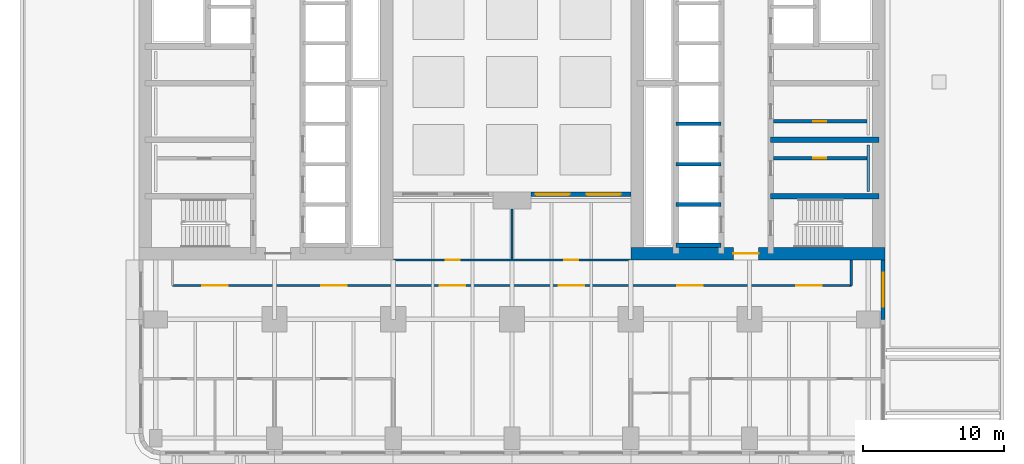
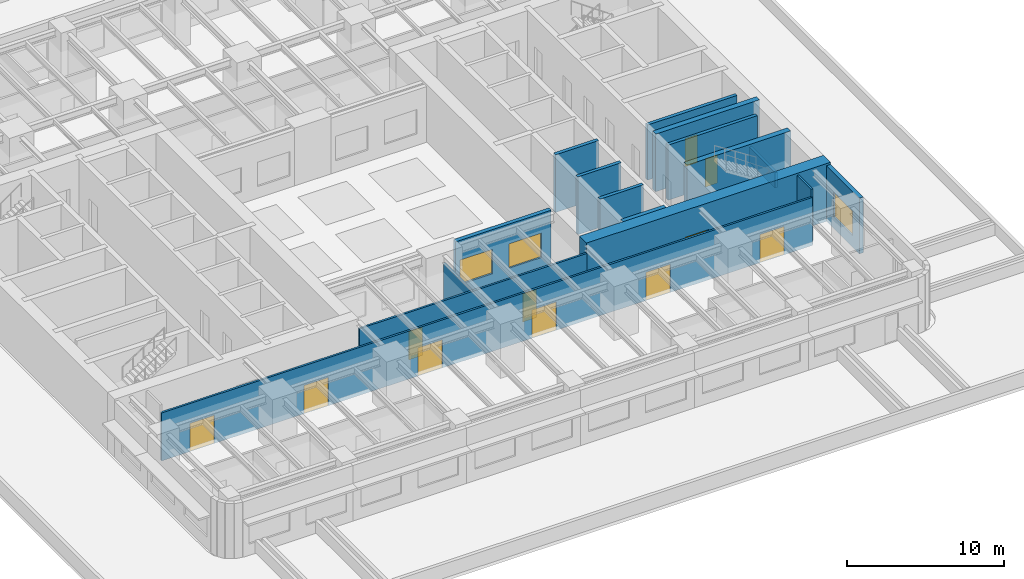
# One storey, part 5 of 17: 16 walls, 11 doors, 3 windows, 14 openings.
"""IFC4 building model written with IfcOpenShell, lengths in metres."""

from ifc_helpers import new_model, si_unit, direction, frame, frame_2d, origin, place, context, subcontext, project, spatial, rectangle, extrude, material, layer, layer_set, type_object, element, fill, save


model = new_model("IFC4")

# Units and contexts
model_context = context("Model", 3, precision=1e-05, world=origin(), true_north=direction((0.0, 1.0)))
body_context = subcontext(model_context, "Body", "Model", "MODEL_VIEW")
ifc_project = project(units=[si_unit("LENGTHUNIT", "METRE"), si_unit("AREAUNIT", "SQUARE_METRE"), si_unit("VOLUMEUNIT", "CUBIC_METRE"), si_unit("PLANEANGLEUNIT", "RADIAN"), si_unit("MASSUNIT", "GRAM", prefix="KILO")], contexts=[model_context])

# Site, building, storey
site_placement = place(None, origin())
site = spatial("IfcSite", under=ifc_project, at=site_placement, CompositionType="ELEMENT")
building_placement = place(site_placement, origin())
building = spatial("IfcBuilding", under=site, at=building_placement, Name="Claustro Exchange Tower", CompositionType="ELEMENT")
storey_placement = place(building_placement, frame((0.0, 0.0, 18.89990234375)))
storey = spatial("IfcBuildingStorey", under=building, at=storey_placement, Name="L04", CompositionType="ELEMENT", Elevation=18.89990234375)

# Wall, openings, doors
ifc_material_1 = material(Name="Gypsum board on steel studs", Category="steel")
ifc_layer_1 = layer(ifc_material_1, 0.14990234375)
ifc_layer_set_1 = layer_set([ifc_layer_1], Name="Gypsum board on steel studs")
wall_type_1 = type_object("IfcWallType", Name="P1 150 plasterboard partition", PredefinedType="PARTITIONING", material=ifc_layer_set_1)
wall_1_placement = place(storey_placement, frame((1.199951171875, 10.800048828125, 0.0), z_axis=(0.0, 0.0, 1.0), x_axis=(1.0, 0.0, 0.0)))
wall_1 = element("IfcWall", 1, at=wall_1_placement, inside=storey, type_object=wall_type_1, Name="Partition P1 L04", PredefinedType="PARTITIONING", context=body_context, shape_type="SweptSolid", body=[
    extrude(rectangle(XDim=48.0, YDim=0.14990234375, at=frame_2d((24.0, 0.0))), origin(), (0.0, 0.0, 1.0), 3.739990234375),
])
opening_1_placement = place(wall_1_placement, frame((2.10009765625, 0.0, 0.0)))
opening_1 = element("IfcOpeningElement", 2, at=opening_1_placement, cuts=wall_1, Name="Opening D2", PredefinedType="OPENING", context=body_context, shape_type="SweptSolid", body=[
    extrude(rectangle(XDim=1.800048828125, YDim=2.199951171875, at=frame_2d((0.89990234375, 1.10009765625))), frame((0.0, 0.0849609375, 0.0), z_axis=(0.0, -1.0, 0.0), x_axis=(1.0, 0.0, 0.0)), (0.0, 0.0, 1.0), 0.169921875),
])
opening_2_placement = place(wall_1_placement, frame((10.5, 0.0, 0.0)))
opening_2 = element("IfcOpeningElement", 3, at=opening_2_placement, cuts=wall_1, Name="Opening D2", PredefinedType="OPENING", context=body_context, shape_type="SweptSolid", body=[
    extrude(rectangle(XDim=1.800048828125, YDim=2.199951171875, at=frame_2d((0.89990234375, 1.10009765625))), frame((0.0, 0.0849609375, 0.0), z_axis=(0.0, -1.0, 0.0), x_axis=(1.0, 0.0, 0.0)), (0.0, 0.0, 1.0), 0.169921875),
])
opening_3_placement = place(wall_1_placement, frame((18.89990234375, 0.0, 0.0)))
opening_3 = element("IfcOpeningElement", 4, at=opening_3_placement, cuts=wall_1, Name="Opening D2", PredefinedType="OPENING", context=body_context, shape_type="SweptSolid", body=[
    extrude(rectangle(XDim=1.800048828125, YDim=2.199951171875, at=frame_2d((0.89990234375, 1.10009765625))), frame((0.0, 0.0849609375, 0.0), z_axis=(0.0, -1.0, 0.0), x_axis=(1.0, 0.0, 0.0)), (0.0, 0.0, 1.0), 0.169921875),
])
opening_4_placement = place(wall_1_placement, frame((27.300048828125, 0.0, 0.0)))
opening_4 = element("IfcOpeningElement", 5, at=opening_4_placement, cuts=wall_1, Name="Opening D2", PredefinedType="OPENING", context=body_context, shape_type="SweptSolid", body=[
    extrude(rectangle(XDim=1.800048828125, YDim=2.199951171875, at=frame_2d((0.89990234375, 1.10009765625))), frame((0.0, 0.0849609375, 0.0), z_axis=(0.0, -1.0, 0.0), x_axis=(1.0, 0.0, 0.0)), (0.0, 0.0, 1.0), 0.169921875),
])
opening_5_placement = place(wall_1_placement, frame((35.699951171875, 0.0, 0.0)))
opening_5 = element("IfcOpeningElement", 6, at=opening_5_placement, cuts=wall_1, Name="Opening D2", PredefinedType="OPENING", context=body_context, shape_type="SweptSolid", body=[
    extrude(rectangle(XDim=1.800048828125, YDim=2.199951171875, at=frame_2d((0.89990234375, 1.10009765625))), frame((0.0, 0.0849609375, 0.0), z_axis=(0.0, -1.0, 0.0), x_axis=(1.0, 0.0, 0.0)), (0.0, 0.0, 1.0), 0.169921875),
])
opening_6_placement = place(wall_1_placement, frame((44.10009765625, 0.0, 0.0)))
opening_6 = element("IfcOpeningElement", 7, at=opening_6_placement, cuts=wall_1, Name="Opening D2", PredefinedType="OPENING", context=body_context, shape_type="SweptSolid", body=[
    extrude(rectangle(XDim=1.800048828125, YDim=2.199951171875, at=frame_2d((0.89990234375, 1.10009765625))), frame((0.0, 0.0849609375, 0.0), z_axis=(0.0, -1.0, 0.0), x_axis=(1.0, 0.0, 0.0)), (0.0, 0.0, 1.0), 0.169921875),
])
ifc_material_2 = material(Name="Timber door, oak veneer", Category="wood")
door_type_1 = type_object("IfcDoorType", Name="D2 1800 x 2200 double door", OperationType="DOUBLE_DOOR_SINGLE_SWING", PredefinedType="DOOR", material=ifc_material_2)
door_1_placement = place(opening_1_placement, frame((1.800048828125, 0.0, 0.0), z_axis=(0.0, 0.0, 1.0), x_axis=(-1.0, 0.0, 0.0)))
door_1 = element("IfcDoor", 8, at=door_1_placement, inside=storey, type_object=door_type_1, Name="Double door D2 L04", OperationType="DOUBLE_DOOR_SINGLE_SWING", OverallHeight=2.199951171875, OverallWidth=1.800048828125, PredefinedType="DOOR", context=body_context, shape_type="SweptSolid", body=[
    extrude(rectangle(XDim=1.800048828125, YDim=2.199951171875, at=frame_2d((0.89990234375, 1.10009765625))), frame((0.0, 0.02490234375, 0.0), z_axis=(0.0, -1.0, 0.0), x_axis=(1.0, 0.0, 0.0)), (0.0, 0.0, 1.0), 0.050048828125),
])
fill(opening_1, door_1)
door_2_placement = place(opening_2_placement, frame((1.800048828125, 0.0, 0.0), z_axis=(0.0, 0.0, 1.0), x_axis=(-1.0, 0.0, 0.0)))
door_2 = element("IfcDoor", 9, at=door_2_placement, inside=storey, type_object=door_type_1, Name="Double door D2 L04", OperationType="DOUBLE_DOOR_SINGLE_SWING", OverallHeight=2.199951171875, OverallWidth=1.800048828125, PredefinedType="DOOR", context=body_context, shape_type="SweptSolid", body=[
    extrude(rectangle(XDim=1.800048828125, YDim=2.199951171875, at=frame_2d((0.89990234375, 1.10009765625))), frame((0.0, 0.02490234375, 0.0), z_axis=(0.0, -1.0, 0.0), x_axis=(1.0, 0.0, 0.0)), (0.0, 0.0, 1.0), 0.050048828125),
])
fill(opening_2, door_2)
door_3_placement = place(opening_3_placement, frame((1.800048828125, 0.0, 0.0), z_axis=(0.0, 0.0, 1.0), x_axis=(-1.0, 0.0, 0.0)))
door_3 = element("IfcDoor", 10, at=door_3_placement, inside=storey, type_object=door_type_1, Name="Double door D2 L04", OperationType="DOUBLE_DOOR_SINGLE_SWING", OverallHeight=2.199951171875, OverallWidth=1.800048828125, PredefinedType="DOOR", context=body_context, shape_type="SweptSolid", body=[
    extrude(rectangle(XDim=1.800048828125, YDim=2.199951171875, at=frame_2d((0.89990234375, 1.10009765625))), frame((0.0, 0.02490234375, 0.0), z_axis=(0.0, -1.0, 0.0), x_axis=(1.0, 0.0, 0.0)), (0.0, 0.0, 1.0), 0.050048828125),
])
fill(opening_3, door_3)
door_4_placement = place(opening_4_placement, frame((1.800048828125, 0.0, 0.0), z_axis=(0.0, 0.0, 1.0), x_axis=(-1.0, 0.0, 0.0)))
door_4 = element("IfcDoor", 11, at=door_4_placement, inside=storey, type_object=door_type_1, Name="Double door D2 L04", OperationType="DOUBLE_DOOR_SINGLE_SWING", OverallHeight=2.199951171875, OverallWidth=1.800048828125, PredefinedType="DOOR", context=body_context, shape_type="SweptSolid", body=[
    extrude(rectangle(XDim=1.800048828125, YDim=2.199951171875, at=frame_2d((0.89990234375, 1.10009765625))), frame((0.0, 0.02490234375, 0.0), z_axis=(0.0, -1.0, 0.0), x_axis=(1.0, 0.0, 0.0)), (0.0, 0.0, 1.0), 0.050048828125),
])
fill(opening_4, door_4)
door_5_placement = place(opening_5_placement, frame((1.800048828125, 0.0, 0.0), z_axis=(0.0, 0.0, 1.0), x_axis=(-1.0, 0.0, 0.0)))
door_5 = element("IfcDoor", 12, at=door_5_placement, inside=storey, type_object=door_type_1, Name="Double door D2 L04", OperationType="DOUBLE_DOOR_SINGLE_SWING", OverallHeight=2.199951171875, OverallWidth=1.800048828125, PredefinedType="DOOR", context=body_context, shape_type="SweptSolid", body=[
    extrude(rectangle(XDim=1.800048828125, YDim=2.199951171875, at=frame_2d((0.89990234375, 1.10009765625))), frame((0.0, 0.02490234375, 0.0), z_axis=(0.0, -1.0, 0.0), x_axis=(1.0, 0.0, 0.0)), (0.0, 0.0, 1.0), 0.050048828125),
])
fill(opening_5, door_5)
door_6_placement = place(opening_6_placement, frame((1.800048828125, 0.0, 0.0), z_axis=(0.0, 0.0, 1.0), x_axis=(-1.0, 0.0, 0.0)))
door_6 = element("IfcDoor", 13, at=door_6_placement, inside=storey, type_object=door_type_1, Name="Double door D2 L04", OperationType="DOUBLE_DOOR_SINGLE_SWING", OverallHeight=2.199951171875, OverallWidth=1.800048828125, PredefinedType="DOOR", context=body_context, shape_type="SweptSolid", body=[
    extrude(rectangle(XDim=1.800048828125, YDim=2.199951171875, at=frame_2d((0.89990234375, 1.10009765625))), frame((0.0, 0.02490234375, 0.0), z_axis=(0.0, -1.0, 0.0), x_axis=(1.0, 0.0, 0.0)), (0.0, 0.0, 1.0), 0.050048828125),
])
fill(opening_6, door_6)

# Walls
wall_2_placement = place(storey_placement, frame((49.199951171875, 10.800048828125, 0.0), z_axis=(0.0, 0.0, 1.0), x_axis=(0.0, 1.0, 0.0)))
element("IfcWall", 14, at=wall_2_placement, inside=storey, type_object=wall_type_1, Name="Partition P1 L04", PredefinedType="PARTITIONING", context=body_context, shape_type="SweptSolid", body=[
    extrude(rectangle(XDim=1.802001953125, YDim=0.14990234375, at=frame_2d((0.90087890625, 0.0))), origin(), (0.0, 0.0, 1.0), 4.340087890625),
])
wall_3_placement = place(storey_placement, frame((25.199951171875, 12.674072265625, 0.0), z_axis=(0.0, 0.0, 1.0), x_axis=(0.0, 1.0, 0.0)))
element("IfcWall", 15, at=wall_3_placement, inside=storey, type_object=wall_type_1, Name="Partition P1 L04", PredefinedType="PARTITIONING", context=body_context, shape_type="SweptSolid", body=[
    extrude(rectangle(XDim=3.52685546875, YDim=0.14990234375, at=frame_2d((1.763427734375, 0.0))), origin(), (0.0, 0.0, 1.0), 3.739990234375),
])

# Wall, openings, doors
wall_4_placement = place(storey_placement, frame((16.820068359375, 12.60009765625, 0.0), z_axis=(0.0, 0.0, 1.0), x_axis=(1.0, 0.0, 0.0)))
wall_4 = element("IfcWall", 16, at=wall_4_placement, inside=storey, type_object=wall_type_1, Name="Partition P1 L04", PredefinedType="PARTITIONING", context=body_context, shape_type="SweptSolid", body=[
    extrude(rectangle(XDim=16.760009765625, YDim=0.14990234375, at=frame_2d((8.3798828125, 0.0))), origin(), (0.0, 0.0, 1.0), 3.739990234375),
])
opening_7_placement = place(wall_4_placement, frame((3.679931640625, 0.0, 0.0)))
opening_7 = element("IfcOpeningElement", 17, at=opening_7_placement, cuts=wall_4, Name="Opening D1", PredefinedType="OPENING", context=body_context, shape_type="SweptSolid", body=[
    extrude(rectangle(XDim=1.0, YDim=2.199951171875, at=frame_2d((0.5, 1.10009765625))), frame((0.0, 0.0849609375, 0.0), z_axis=(0.0, -1.0, 0.0), x_axis=(1.0, 0.0, 0.0)), (0.0, 0.0, 1.0), 0.169921875),
])
opening_8_placement = place(wall_4_placement, frame((12.080078125, 0.0, 0.0)))
opening_8 = element("IfcOpeningElement", 18, at=opening_8_placement, cuts=wall_4, Name="Opening D1", PredefinedType="OPENING", context=body_context, shape_type="SweptSolid", body=[
    extrude(rectangle(XDim=1.0, YDim=2.199951171875, at=frame_2d((0.5, 1.10009765625))), frame((0.0, 0.0849609375, 0.0), z_axis=(0.0, -1.0, 0.0), x_axis=(1.0, 0.0, 0.0)), (0.0, 0.0, 1.0), 0.169921875),
])
ifc_material_3 = material(Name="Timber door, oak veneer", Category="wood")
door_type_2 = type_object("IfcDoorType", Name="D1 1000 x 2200 single door", OperationType="SINGLE_SWING_LEFT", PredefinedType="DOOR", material=ifc_material_3)
door_7_placement = place(opening_7_placement, origin())
door_7 = element("IfcDoor", 19, at=door_7_placement, inside=storey, type_object=door_type_2, Name="Door D1 L04", OperationType="SINGLE_SWING_RIGHT", OverallHeight=2.199951171875, OverallWidth=1.0, PredefinedType="DOOR", context=body_context, shape_type="SweptSolid", body=[
    extrude(rectangle(XDim=1.0, YDim=2.199951171875, at=frame_2d((0.5, 1.10009765625))), frame((0.0, 0.02490234375, 0.0), z_axis=(0.0, -1.0, 0.0), x_axis=(1.0, 0.0, 0.0)), (0.0, 0.0, 1.0), 0.050048828125),
])
fill(opening_7, door_7)
door_8_placement = place(opening_8_placement, origin())
door_8 = element("IfcDoor", 20, at=door_8_placement, inside=storey, type_object=door_type_2, Name="Door D1 L04", OperationType="SINGLE_SWING_LEFT", OverallHeight=2.199951171875, OverallWidth=1.0, PredefinedType="DOOR", context=body_context, shape_type="SweptSolid", body=[
    extrude(rectangle(XDim=1.0, YDim=2.199951171875, at=frame_2d((0.5, 1.10009765625))), frame((0.0, 0.02490234375, 0.0), z_axis=(0.0, -1.0, 0.0), x_axis=(1.0, 0.0, 0.0)), (0.0, 0.0, 1.0), 0.050048828125),
])
fill(opening_8, door_8)

# Wall, opening, door
ifc_material_4 = material(Name="Concrete blockwork, rendered", Category="masonry")
ifc_layer_2 = layer(ifc_material_4, 0.25)
ifc_layer_set_2 = layer_set([ifc_layer_2], Name="Concrete blockwork, rendered")
wall_type_2 = type_object("IfcWallType", Name="P4 250 blockwork wall", PredefinedType="PARTITIONING", material=ifc_layer_set_2)
wall_5_placement = place(storey_placement, frame((43.699951171875, 22.39990234375, 0.0), z_axis=(0.0, 0.0, 1.0), x_axis=(1.0, 0.0, 0.0)))
wall_5 = element("IfcWall", 21, at=wall_5_placement, inside=storey, type_object=wall_type_2, Name="Partition P4 L04", PredefinedType="PARTITIONING", context=body_context, shape_type="SweptSolid", body=[
    extrude(rectangle(XDim=6.60009765625, YDim=0.25, at=frame_2d((3.300048828125, 0.0))), origin(), (0.0, 0.0, 1.0), 4.300048828125),
])
opening_9_placement = place(wall_5_placement, frame((2.824951171875, 0.0, 0.0)))
opening_9 = element("IfcOpeningElement", 22, at=opening_9_placement, cuts=wall_5, Name="Opening D5", PredefinedType="OPENING", context=body_context, shape_type="SweptSolid", body=[
    extrude(rectangle(XDim=0.89990234375, YDim=2.199951171875, at=frame_2d((0.449951171875, 1.10009765625))), frame((0.0, 0.135009765625, 0.0), z_axis=(0.0, -1.0, 0.0), x_axis=(1.0, 0.0, 0.0)), (0.0, 0.0, 1.0), 0.27001953125),
])
ifc_material_5 = material(Name="Steel door, painted", Category="steel")
door_type_3 = type_object("IfcDoorType", Name="D5 900 x 2200 store door", OperationType="SINGLE_SWING_LEFT", PredefinedType="DOOR", material=ifc_material_5)
door_9_placement = place(opening_9_placement, frame((0.89990234375, 0.0, 0.0), z_axis=(0.0, 0.0, 1.0), x_axis=(-1.0, 0.0, 0.0)))
door_9 = element("IfcDoor", 23, at=door_9_placement, inside=storey, type_object=door_type_3, Name="Store door D5 L04", OperationType="SINGLE_SWING_LEFT", OverallHeight=2.199951171875, OverallWidth=0.89990234375, PredefinedType="DOOR", context=body_context, shape_type="SweptSolid", body=[
    extrude(rectangle(XDim=0.89990234375, YDim=2.199951171875, at=frame_2d((0.449951171875, 1.10009765625))), frame((0.0, 0.02490234375, 0.0), z_axis=(0.0, -1.0, 0.0), x_axis=(1.0, 0.0, 0.0)), (0.0, 0.0, 1.0), 0.050048828125),
])
fill(opening_9, door_9)

wall_6_placement = place(storey_placement, frame((43.699951171875, 19.800048828125, 0.0), z_axis=(0.0, 0.0, 1.0), x_axis=(1.0, 0.0, 0.0)))
wall_6 = element("IfcWall", 24, at=wall_6_placement, inside=storey, type_object=wall_type_2, Name="Partition P4 L04", PredefinedType="PARTITIONING", context=body_context, shape_type="SweptSolid", body=[
    extrude(rectangle(XDim=6.60009765625, YDim=0.25, at=frame_2d((3.300048828125, 0.0))), origin(), (0.0, 0.0, 1.0), 4.300048828125),
])
opening_10_placement = place(wall_6_placement, frame((2.824951171875, 0.0, 0.0)))
opening_10 = element("IfcOpeningElement", 25, at=opening_10_placement, cuts=wall_6, Name="Opening D5", PredefinedType="OPENING", context=body_context, shape_type="SweptSolid", body=[
    extrude(rectangle(XDim=0.89990234375, YDim=2.199951171875, at=frame_2d((0.449951171875, 1.10009765625))), frame((0.0, 0.135009765625, 0.0), z_axis=(0.0, -1.0, 0.0), x_axis=(1.0, 0.0, 0.0)), (0.0, 0.0, 1.0), 0.27001953125),
])
door_10_placement = place(opening_10_placement, origin())
door_10 = element("IfcDoor", 26, at=door_10_placement, inside=storey, type_object=door_type_3, Name="Store door D5 L04", OperationType="SINGLE_SWING_RIGHT", OverallHeight=2.199951171875, OverallWidth=0.89990234375, PredefinedType="DOOR", context=body_context, shape_type="SweptSolid", body=[
    extrude(rectangle(XDim=0.89990234375, YDim=2.199951171875, at=frame_2d((0.449951171875, 1.10009765625))), frame((0.0, 0.02490234375, 0.0), z_axis=(0.0, -1.0, 0.0), x_axis=(1.0, 0.0, 0.0)), (0.0, 0.0, 1.0), 0.050048828125),
])
fill(opening_10, door_10)

# Wall, opening, window
ifc_material_6 = material(Name="Concrete HA-40 (C40/50), precast, white cement, acid-etched", Category="concrete")
ifc_layer_3 = layer(ifc_material_6, 0.300048828125)
ifc_layer_set_3 = layer_set([ifc_layer_3], Name="Concrete HA-40 (C40/50), precast, white cement, acid-etched")
wall_type_3 = type_object("IfcWallType", Name="PC1 300 precast concrete pier panel", PredefinedType="SOLIDWALL", material=ifc_layer_set_3)
wall_7_placement = place(storey_placement, frame((51.449951171875, 12.60009765625, 0.0), z_axis=(0.0, 0.0, 1.0), x_axis=(0.0, -1.0, 0.0)))
wall_7 = element("IfcWall", 27, at=wall_7_placement, inside=storey, type_object=wall_type_3, Name="Precast pier panel PC1 L04", PredefinedType="SOLIDWALL", context=body_context, shape_type="SweptSolid", body=[
    extrude(rectangle(XDim=4.2001953125, YDim=0.300048828125, at=frame_2d((2.10009765625, 0.0))), origin(), (0.0, 0.0, 1.0), 4.340087890625),
])
opening_11_placement = place(wall_7_placement, frame((0.89990234375, 0.0, 0.89990234375)))
opening_11 = element("IfcOpeningElement", 28, at=opening_11_placement, cuts=wall_7, Name="Opening W2", PredefinedType="OPENING", context=body_context, shape_type="SweptSolid", body=[
    extrude(rectangle(XDim=2.39990234375, YDim=1.89990234375, at=frame_2d((1.199951171875, 0.949951171875))), frame((0.0, 0.159912109375, 0.0), z_axis=(0.0, -1.0, 0.0), x_axis=(1.0, 0.0, 0.0)), (0.0, 0.0, 1.0), 0.320068359375),
])
ifc_material_7 = material(Name="Aluminium frame, clear double glazing", Category="aluminium")
window_type = type_object("IfcWindowType", Name="W2 2400 x 1900 window", PartitioningType="SINGLE_PANEL", PredefinedType="WINDOW", material=ifc_material_7)
window_1_placement = place(opening_11_placement, origin())
window_1 = element("IfcWindow", 29, at=window_1_placement, inside=storey, type_object=window_type, Name="Window W2 L04", OverallHeight=1.89990234375, OverallWidth=2.39990234375, PartitioningType="SINGLE_PANEL", PredefinedType="WINDOW", context=body_context, shape_type="SweptSolid", body=[
    extrude(rectangle(XDim=2.39990234375, YDim=1.89990234375, at=frame_2d((1.199951171875, 0.949951171875))), frame((0.0, 0.030029296875, 0.0), z_axis=(0.0, -1.0, 0.0), x_axis=(1.0, 0.0, 0.0)), (0.0, 0.0, 1.0), 0.06005859375),
])
fill(opening_11, window_1)

# Wall, openings, windows
wall_8_placement = place(storey_placement, frame((26.550048828125, 17.25, 0.0), z_axis=(0.0, 0.0, 1.0), x_axis=(1.0, 0.0, 0.0)))
wall_8 = element("IfcWall", 30, at=wall_8_placement, inside=storey, type_object=wall_type_3, Name="Precast pier panel PC1 L04", PredefinedType="SOLIDWALL", context=body_context, shape_type="SweptSolid", body=[
    extrude(rectangle(XDim=7.050048828125, YDim=0.300048828125, at=frame_2d((3.52490234375, 0.0))), origin(), (0.0, 0.0, 1.0), 4.340087890625),
])
opening_12_placement = place(wall_8_placement, frame((0.324951171875, 0.0, 0.89990234375)))
opening_12 = element("IfcOpeningElement", 31, at=opening_12_placement, cuts=wall_8, Name="Opening W2", PredefinedType="OPENING", context=body_context, shape_type="SweptSolid", body=[
    extrude(rectangle(XDim=2.39990234375, YDim=1.89990234375, at=frame_2d((1.199951171875, 0.949951171875))), frame((0.0, 0.159912109375, 0.0), z_axis=(0.0, -1.0, 0.0), x_axis=(1.0, 0.0, 0.0)), (0.0, 0.0, 1.0), 0.320068359375),
])
opening_13_placement = place(wall_8_placement, frame((3.925048828125, 0.0, 0.89990234375)))
opening_13 = element("IfcOpeningElement", 32, at=opening_13_placement, cuts=wall_8, Name="Opening W2", PredefinedType="OPENING", context=body_context, shape_type="SweptSolid", body=[
    extrude(rectangle(XDim=2.39990234375, YDim=1.89990234375, at=frame_2d((1.199951171875, 0.949951171875))), frame((0.0, 0.159912109375, 0.0), z_axis=(0.0, -1.0, 0.0), x_axis=(1.0, 0.0, 0.0)), (0.0, 0.0, 1.0), 0.320068359375),
])
window_2_placement = place(opening_12_placement, origin())
window_2 = element("IfcWindow", 33, at=window_2_placement, inside=storey, type_object=window_type, Name="Window W2 L04", OverallHeight=1.89990234375, OverallWidth=2.39990234375, PartitioningType="SINGLE_PANEL", PredefinedType="WINDOW", context=body_context, shape_type="SweptSolid", body=[
    extrude(rectangle(XDim=2.39990234375, YDim=1.89990234375, at=frame_2d((1.199951171875, 0.949951171875))), frame((0.0, 0.030029296875, 0.0), z_axis=(0.0, -1.0, 0.0), x_axis=(1.0, 0.0, 0.0)), (0.0, 0.0, 1.0), 0.06005859375),
])
fill(opening_12, window_2)
window_3_placement = place(opening_13_placement, origin())
window_3 = element("IfcWindow", 34, at=window_3_placement, inside=storey, type_object=window_type, Name="Window W2 L04", OverallHeight=1.89990234375, OverallWidth=2.39990234375, PartitioningType="SINGLE_PANEL", PredefinedType="WINDOW", context=body_context, shape_type="SweptSolid", body=[
    extrude(rectangle(XDim=2.39990234375, YDim=1.89990234375, at=frame_2d((1.199951171875, 0.949951171875))), frame((0.0, 0.030029296875, 0.0), z_axis=(0.0, -1.0, 0.0), x_axis=(1.0, 0.0, 0.0)), (0.0, 0.0, 1.0), 0.06005859375),
])
fill(opening_13, window_3)

# Wall
ifc_material_8 = material(Name="Gypsum board on steel studs, tiled", Category="steel")
ifc_layer_4 = layer(ifc_material_8, 0.199951171875)
ifc_layer_set_4 = layer_set([ifc_layer_4], Name="Gypsum board on steel studs, tiled")
wall_type_4 = type_object("IfcWallType", Name="PW1 200 WC duct wall", PredefinedType="PLUMBINGWALL", material=ifc_layer_set_4)
wall_9_placement = place(storey_placement, frame((50.39990234375, 17.449951171875, 0.0), z_axis=(0.0, 0.0, 1.0), x_axis=(0.0, 1.0, 0.0)))
element("IfcWall", 35, at=wall_9_placement, inside=storey, type_object=wall_type_4, Name="WC duct wall PW1 L04", PredefinedType="PLUMBINGWALL", context=body_context, shape_type="SweptSolid", body=[
    extrude(rectangle(XDim=3.300048828125, YDim=0.199951171875, at=frame_2d((1.64990234375, 0.0))), origin(), (0.0, 0.0, 1.0), 1.2001953125),
])

# Wall, opening, door
ifc_material_9 = material(Name="Concrete HA-70 (C70/85)", Category="concrete")
ifc_layer_5 = layer(ifc_material_9, 0.89990234375)
ifc_layer_set_5 = layer_set([ifc_layer_5], Name="Concrete HA-70 (C70/85)")
wall_type_5 = type_object("IfcWallType", Name="SW1 900 core shear wall", PredefinedType="SHEAR", material=ifc_layer_set_5)
wall_10_placement = place(storey_placement, frame((33.60009765625, 13.050048828125, 0.0), z_axis=(0.0, 0.0, 1.0), x_axis=(1.0, 0.0, 0.0)))
wall_10 = element("IfcWall", 36, at=wall_10_placement, inside=storey, type_object=wall_type_5, Name="Core wall SW1 E core S face L04", PredefinedType="SHEAR", context=body_context, shape_type="SweptSolid", body=[
    extrude(rectangle(XDim=18.0, YDim=0.89990234375, at=frame_2d((9.0, 0.0))), origin(), (0.0, 0.0, 1.0), 4.5),
])
opening_14_placement = place(wall_10_placement, frame((7.25, 0.0, 0.0)))
opening_14 = element("IfcOpeningElement", 37, at=opening_14_placement, cuts=wall_10, Name="Opening D3", PredefinedType="OPENING", context=body_context, shape_type="SweptSolid", body=[
    extrude(rectangle(XDim=1.800048828125, YDim=2.39990234375, at=frame_2d((0.89990234375, 1.199951171875))), frame((0.0, 0.4599609375, 0.0), z_axis=(0.0, -1.0, 0.0), x_axis=(1.0, 0.0, 0.0)), (0.0, 0.0, 1.0), 0.919921875),
])
ifc_material_10 = material(Name="Steel fire door, painted", Category="steel")
door_type_4 = type_object("IfcDoorType", Name="D3 1800 x 2400 fire-rated lobby double door", OperationType="DOUBLE_DOOR_SINGLE_SWING", PredefinedType="DOOR", material=ifc_material_10)
door_11_placement = place(opening_14_placement, origin())
door_11 = element("IfcDoor", 38, at=door_11_placement, inside=storey, type_object=door_type_4, Name="Lift lobby door D3 L04", OperationType="DOUBLE_DOOR_SINGLE_SWING", OverallHeight=2.39990234375, OverallWidth=1.800048828125, PredefinedType="DOOR", context=body_context, shape_type="SweptSolid", body=[
    extrude(rectangle(XDim=1.800048828125, YDim=2.39990234375, at=frame_2d((0.89990234375, 1.199951171875))), frame((0.0, 0.02490234375, 0.0), z_axis=(0.0, -1.0, 0.0), x_axis=(1.0, 0.0, 0.0)), (0.0, 0.0, 1.0), 0.050048828125),
])
fill(opening_14, door_11)

# Walls
ifc_material_11 = material(Name="Concrete HA-50 (C50/60)", Category="concrete")
ifc_layer_6 = layer(ifc_material_11, 0.39990234375)
ifc_layer_set_6 = layer_set([ifc_layer_6], Name="Concrete HA-50 (C50/60)")
wall_type_6 = type_object("IfcWallType", Name="SW4 400 internal core wall", PredefinedType="SHEAR", material=ifc_layer_set_6)
for number, where, z_axis, x_axis, name in (
    (39, (51.14990234375, 17.10009765625, 0.0), (0.0, 0.0, 1.0), (-1.0, 0.0, 0.0), "Internal core wall SW4 E core L04"),
    (40, (51.14990234375, 21.10009765625, 0.0), (0.0, 0.0, 1.0), (-1.0, 0.0, 0.0), "Internal core wall SW4 E core L04"),
):
    element("IfcWall", number, at=place(storey_placement, frame(where, z_axis=z_axis, x_axis=x_axis)), inside=storey, type_object=wall_type_6, Name=name, PredefinedType="SHEAR", context=body_context, shape_type="SweptSolid", body=[
        extrude(rectangle(XDim=7.64990234375, YDim=0.39990234375, at=frame_2d((3.824951171875, 0.0))), origin(), (0.0, 0.0, 1.0), 4.5),
    ])
ifc_material_12 = material(Name="Concrete HA-50 (C50/60)", Category="concrete")
ifc_layer_7 = layer(ifc_material_12, 0.25)
ifc_layer_set_7 = layer_set([ifc_layer_7], Name="Concrete HA-50 (C50/60)")
wall_type_7 = type_object("IfcWallType", Name="SW5 250 lift shaft divider wall", PredefinedType="SHEAR", material=ifc_layer_set_7)
for number, where, z_axis, x_axis, name in (
    (41, (40.0, 16.52490234375, 0.0), (0.0, 0.0, 1.0), (-1.0, 0.0, 0.0), "Lift shaft wall E core L04"),
    (42, (40.0, 19.375, 0.0), (0.0, 0.0, 1.0), (-1.0, 0.0, 0.0), "Lift shaft wall E core L04"),
    (43, (40.0, 22.22509765625, 0.0), (0.0, 0.0, 1.0), (-1.0, 0.0, 0.0), "Lift shaft wall E core L04"),
):
    element("IfcWall", number, at=place(storey_placement, frame(where, z_axis=z_axis, x_axis=x_axis)), inside=storey, type_object=wall_type_7, Name=name, PredefinedType="SHEAR", context=body_context, shape_type="SweptSolid", body=[
        extrude(rectangle(XDim=3.199951171875, YDim=0.25, at=frame_2d((1.60009765625, 0.0))), origin(), (0.0, 0.0, 1.0), 4.5),
    ])
ifc_material_13 = material(Name="Concrete HA-50 (C50/60)", Category="concrete")
ifc_layer_8 = layer(ifc_material_13, 0.300048828125)
ifc_layer_set_8 = layer_set([ifc_layer_8], Name="Concrete HA-50 (C50/60)")
wall_type_8 = type_object("IfcWallType", Name="SW6A 300 lift shaft end wall", PredefinedType="SHEAR", material=ifc_layer_set_8)
wall_11_placement = place(storey_placement, frame((40.0, 13.64990234375, 0.0), z_axis=(0.0, 0.0, 1.0), x_axis=(-1.0, 0.0, 0.0)))
element("IfcWall", 44, at=wall_11_placement, inside=storey, type_object=wall_type_8, Name="Lift shaft wall E core L04", PredefinedType="SHEAR", context=body_context, shape_type="SweptSolid", body=[
    extrude(rectangle(XDim=3.199951171875, YDim=0.300048828125, at=frame_2d((1.60009765625, 0.0))), origin(), (0.0, 0.0, 1.0), 4.5),
])

save(model, "model.ifc")
